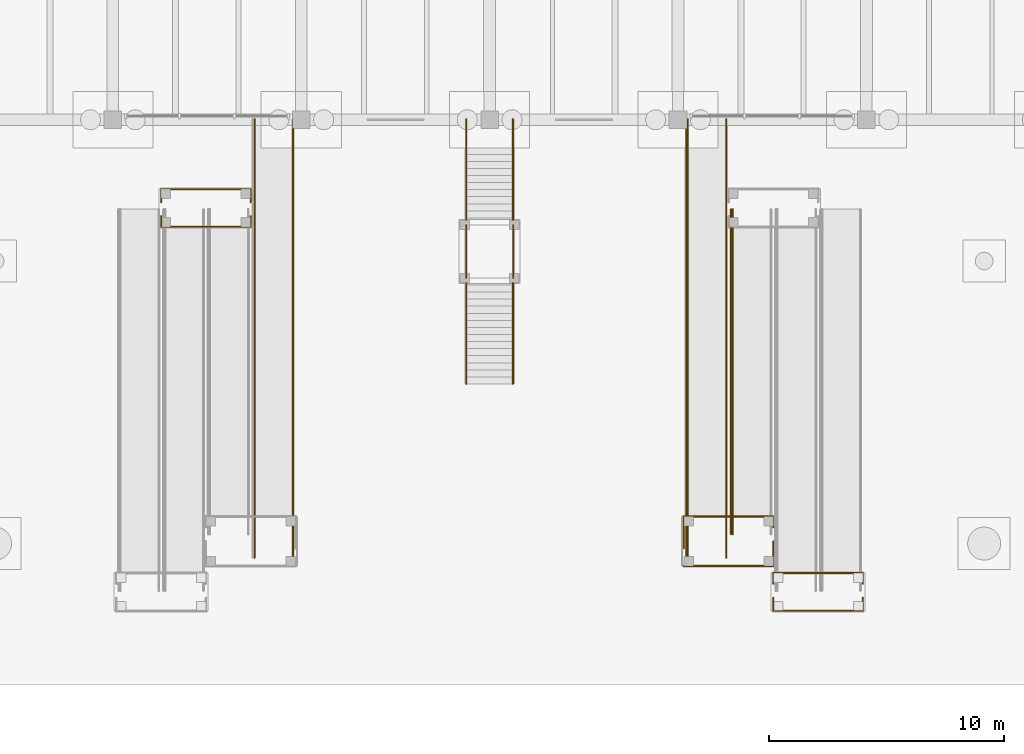
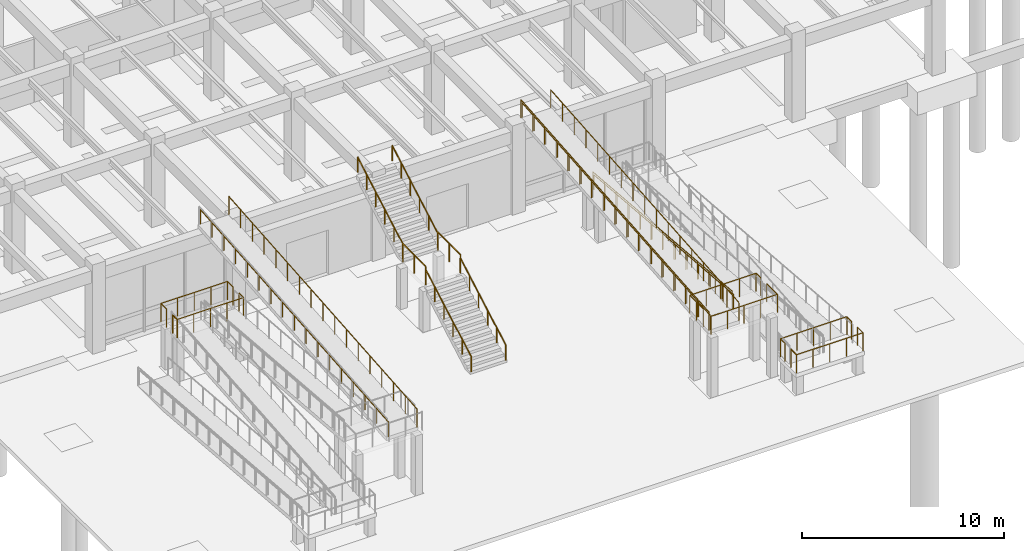
# One storey, part 36 of 44: 21 railings.
"""IFC4 building model written with IfcOpenShell, lengths in metres."""

from ifc_helpers import new_model, si_unit, direction, frame, origin, origin_2d, place, context, subcontext, project, spatial, circle, extrude, material, type_object, element, save


model = new_model("IFC4")

# Units and contexts
model_context = context("Model", 3, precision=1e-05, world=origin(), true_north=direction((0.0, 1.0)))
body_context = subcontext(model_context, "Body", "Model", "MODEL_VIEW")
ifc_project = project(units=[si_unit("LENGTHUNIT", "METRE"), si_unit("AREAUNIT", "SQUARE_METRE"), si_unit("VOLUMEUNIT", "CUBIC_METRE"), si_unit("PLANEANGLEUNIT", "RADIAN"), si_unit("MASSUNIT", "GRAM", prefix="KILO")], contexts=[model_context])

# Site, building, storey
site_placement = place(None, origin())
site = spatial("IfcSite", under=ifc_project, at=site_placement, CompositionType="ELEMENT")
building_placement = place(site_placement, origin())
building = spatial("IfcBuilding", under=site, at=building_placement, Name="Pecanmere Concourse Central Library", CompositionType="ELEMENT")
storey_placement = place(building_placement, frame((0.0, 0.0, -5.39990234375)))
storey = spatial("IfcBuildingStorey", under=building, at=storey_placement, Name="B1", CompositionType="ELEMENT", Elevation=-5.39990234375)

# Railings
ifc_material_1 = material(Name="Architectural anodized bronze")
railing_type_1 = type_object("IfcRailingType", Name="RAIL_ATRIUM_BAL", PredefinedType="BALUSTRADE", material=ifc_material_1)
for number, where, name in (
    (1, (89.0, 17.280029296875, 2.699951171875), "ST-M1 Mid-Landing Guard L"),
    (2, (87.0, 17.280029296875, 2.699951171875), "ST-M1 Mid-Landing Guard R"),
):
    element("IfcRailing", number, at=place(storey_placement, frame(where)), inside=storey, type_object=railing_type_1, Name=name, PredefinedType="BALUSTRADE", context=body_context, shape_type="SweptSolid", body=[
        extrude(circle(Radius=0.02392578125, at=origin_2d()), frame((0.0, 0.0, 1.09619140625), z_axis=(0.0, 1.0, 0.0), x_axis=(-1.0, 0.0, 0.0)), (0.0, 0.0, 1.0), 2.25),
        extrude(circle(Radius=0.02099609375, at=origin_2d()), origin(), (0.0, 0.0, 1.0), 1.072021484375),
        extrude(circle(Radius=0.02099609375, at=origin_2d()), frame((0.0, 1.125, 0.0)), (0.0, 0.0, 1.0), 1.072021484375),
        extrude(circle(Radius=0.02099609375, at=origin_2d()), frame((0.0, 2.25, 0.0)), (0.0, 0.0, 1.0), 1.072021484375),
    ])
ifc_material_2 = material(Name="Brushed stainless steel Grade 316", Category="steel")
railing_type_2 = type_object("IfcRailingType", Name="RAIL_RAMP_HR", PredefinedType="HANDRAIL", material=ifc_material_2)
railing_1_placement = place(storey_placement, frame((78.02001953125, 5.39990234375, 3.849853515625)))
element("IfcRailing", 3, at=railing_1_placement, inside=storey, type_object=railing_type_2, Name="Ramp Handrail 4", PredefinedType="HANDRAIL", context=body_context, shape_type="SweptSolid", body=[
    extrude(circle(Radius=0.02392578125, at=origin_2d()), frame((0.0, 0.0, 0.8759765625), z_axis=(0.0, 0.996556647584, 0.082914704104), x_axis=(-1.0, 0.0, 0.0)), (0.0, 0.0, 1.0), 18.694580078125),
    extrude(circle(Radius=0.02099609375, at=origin_2d()), origin(), (0.0, 0.0, 1.0), 0.851806640625),
    extrude(circle(Radius=0.02099609375, at=origin_2d()), frame((0.0, 1.164306640625, 0.096923828125)), (0.0, 0.0, 1.0), 0.851806640625),
    extrude(circle(Radius=0.02099609375, at=origin_2d()), frame((0.0, 2.328857421875, 0.19384765625)), (0.0, 0.0, 1.0), 0.851806640625),
    extrude(circle(Radius=0.02099609375, at=origin_2d()), frame((0.0, 3.4931640625, 0.29052734375)), (0.0, 0.0, 1.0), 0.851806640625),
    extrude(circle(Radius=0.02099609375, at=origin_2d()), frame((0.0, 4.657470703125, 0.387451171875)), (0.0, 0.0, 1.0), 0.851806640625),
    extrude(circle(Radius=0.02099609375, at=origin_2d()), frame((0.0, 5.822021484375, 0.484375)), (0.0, 0.0, 1.0), 0.851806640625),
    extrude(circle(Radius=0.02099609375, at=origin_2d()), frame((0.0, 6.986328125, 0.581298828125)), (0.0, 0.0, 1.0), 0.851806640625),
    extrude(circle(Radius=0.02099609375, at=origin_2d()), frame((0.0, 8.150634765625, 0.67822265625)), (0.0, 0.0, 1.0), 0.851806640625),
    extrude(circle(Radius=0.02099609375, at=origin_2d()), frame((0.0, 9.31494140625, 0.77490234375)), (0.0, 0.0, 1.0), 0.851806640625),
    extrude(circle(Radius=0.02099609375, at=origin_2d()), frame((0.0, 10.4794921875, 0.871826171875)), (0.0, 0.0, 1.0), 0.851806640625),
    extrude(circle(Radius=0.02099609375, at=origin_2d()), frame((0.0, 11.643798828125, 0.96875)), (0.0, 0.0, 1.0), 0.851806640625),
    extrude(circle(Radius=0.02099609375, at=origin_2d()), frame((0.0, 12.80810546875, 1.065673828125)), (0.0, 0.0, 1.0), 0.851806640625),
    extrude(circle(Radius=0.02099609375, at=origin_2d()), frame((0.0, 13.97265625, 1.16259765625)), (0.0, 0.0, 1.0), 0.851806640625),
    extrude(circle(Radius=0.02099609375, at=origin_2d()), frame((0.0, 15.136962890625, 1.259521484375)), (0.0, 0.0, 1.0), 0.851806640625),
    extrude(circle(Radius=0.02099609375, at=origin_2d()), frame((0.0, 16.30126953125, 1.356201171875)), (0.0, 0.0, 1.0), 0.851806640625),
    extrude(circle(Radius=0.02099609375, at=origin_2d()), frame((0.0, 17.4658203125, 1.453125)), (0.0, 0.0, 1.0), 0.851806640625),
    extrude(circle(Radius=0.02099609375, at=origin_2d()), frame((0.0, 18.630126953125, 1.550048828125)), (0.0, 0.0, 1.0), 0.851806640625),
])
railing_2_placement = place(storey_placement, frame((98.320068359375, 20.199951171875, 2.699951171875)))
element("IfcRailing", 4, at=railing_2_placement, inside=storey, type_object=railing_type_2, Name="Ramp Handrail 7", PredefinedType="HANDRAIL", context=body_context, shape_type="SweptSolid", body=[
    extrude(circle(Radius=0.02392578125, at=origin_2d()), frame((0.0, 0.0, 0.8759765625), z_axis=(0.0, -0.996546366156, 0.083038184601), x_axis=(1.0, 0.0, 0.0)), (0.0, 0.0, 1.0), 13.847900390625),
    extrude(circle(Radius=0.02099609375, at=origin_2d()), origin(), (0.0, 0.0, 1.0), 0.851806640625),
    extrude(circle(Radius=0.02099609375, at=origin_2d()), frame((0.0, -1.14990234375, 0.095703125)), (0.0, 0.0, 1.0), 0.851806640625),
    extrude(circle(Radius=0.02099609375, at=origin_2d()), frame((0.0, -2.300048828125, 0.191650390625)), (0.0, 0.0, 1.0), 0.851806640625),
    extrude(circle(Radius=0.02099609375, at=origin_2d()), frame((0.0, -3.449951171875, 0.28759765625)), (0.0, 0.0, 1.0), 0.851806640625),
    extrude(circle(Radius=0.02099609375, at=origin_2d()), frame((0.0, -4.60009765625, 0.38330078125)), (0.0, 0.0, 1.0), 0.851806640625),
    extrude(circle(Radius=0.02099609375, at=origin_2d()), frame((0.0, -5.75, 0.47900390625)), (0.0, 0.0, 1.0), 0.851806640625),
    extrude(circle(Radius=0.02099609375, at=origin_2d()), frame((0.0, -6.89990234375, 0.574951171875)), (0.0, 0.0, 1.0), 0.851806640625),
    extrude(circle(Radius=0.02099609375, at=origin_2d()), frame((0.0, -8.050048828125, 0.6708984375)), (0.0, 0.0, 1.0), 0.851806640625),
    extrude(circle(Radius=0.02099609375, at=origin_2d()), frame((0.0, -9.199951171875, 0.7666015625)), (0.0, 0.0, 1.0), 0.851806640625),
    extrude(circle(Radius=0.02099609375, at=origin_2d()), frame((0.0, -10.35009765625, 0.8623046875)), (0.0, 0.0, 1.0), 0.851806640625),
    extrude(circle(Radius=0.02099609375, at=origin_2d()), frame((0.0, -11.5, 0.958251953125)), (0.0, 0.0, 1.0), 0.851806640625),
    extrude(circle(Radius=0.02099609375, at=origin_2d()), frame((0.0, -12.650146484375, 1.05419921875)), (0.0, 0.0, 1.0), 0.851806640625),
    extrude(circle(Radius=0.02099609375, at=origin_2d()), frame((0.0, -13.800048828125, 1.14990234375)), (0.0, 0.0, 1.0), 0.851806640625),
])
railing_3_placement = place(storey_placement, frame((96.419921875, 5.39990234375, 3.849853515625)))
element("IfcRailing", 5, at=railing_3_placement, inside=storey, type_object=railing_type_2, Name="Ramp Handrail 8", PredefinedType="HANDRAIL", context=body_context, shape_type="SweptSolid", body=[
    extrude(circle(Radius=0.02392578125, at=origin_2d()), frame((0.0, 0.0, 0.8759765625), z_axis=(0.0, 0.996556647584, 0.082914704104), x_axis=(-1.0, 0.0, 0.0)), (0.0, 0.0, 1.0), 18.694580078125),
    extrude(circle(Radius=0.02099609375, at=origin_2d()), origin(), (0.0, 0.0, 1.0), 0.851806640625),
    extrude(circle(Radius=0.02099609375, at=origin_2d()), frame((0.0, 1.164306640625, 0.096923828125)), (0.0, 0.0, 1.0), 0.851806640625),
    extrude(circle(Radius=0.02099609375, at=origin_2d()), frame((0.0, 2.328857421875, 0.19384765625)), (0.0, 0.0, 1.0), 0.851806640625),
    extrude(circle(Radius=0.02099609375, at=origin_2d()), frame((0.0, 3.4931640625, 0.29052734375)), (0.0, 0.0, 1.0), 0.851806640625),
    extrude(circle(Radius=0.02099609375, at=origin_2d()), frame((0.0, 4.657470703125, 0.387451171875)), (0.0, 0.0, 1.0), 0.851806640625),
    extrude(circle(Radius=0.02099609375, at=origin_2d()), frame((0.0, 5.822021484375, 0.484375)), (0.0, 0.0, 1.0), 0.851806640625),
    extrude(circle(Radius=0.02099609375, at=origin_2d()), frame((0.0, 6.986328125, 0.581298828125)), (0.0, 0.0, 1.0), 0.851806640625),
    extrude(circle(Radius=0.02099609375, at=origin_2d()), frame((0.0, 8.150634765625, 0.67822265625)), (0.0, 0.0, 1.0), 0.851806640625),
    extrude(circle(Radius=0.02099609375, at=origin_2d()), frame((0.0, 9.31494140625, 0.77490234375)), (0.0, 0.0, 1.0), 0.851806640625),
    extrude(circle(Radius=0.02099609375, at=origin_2d()), frame((0.0, 10.4794921875, 0.871826171875)), (0.0, 0.0, 1.0), 0.851806640625),
    extrude(circle(Radius=0.02099609375, at=origin_2d()), frame((0.0, 11.643798828125, 0.96875)), (0.0, 0.0, 1.0), 0.851806640625),
    extrude(circle(Radius=0.02099609375, at=origin_2d()), frame((0.0, 12.80810546875, 1.065673828125)), (0.0, 0.0, 1.0), 0.851806640625),
    extrude(circle(Radius=0.02099609375, at=origin_2d()), frame((0.0, 13.97265625, 1.16259765625)), (0.0, 0.0, 1.0), 0.851806640625),
    extrude(circle(Radius=0.02099609375, at=origin_2d()), frame((0.0, 15.136962890625, 1.259521484375)), (0.0, 0.0, 1.0), 0.851806640625),
    extrude(circle(Radius=0.02099609375, at=origin_2d()), frame((0.0, 16.30126953125, 1.356201171875)), (0.0, 0.0, 1.0), 0.851806640625),
    extrude(circle(Radius=0.02099609375, at=origin_2d()), frame((0.0, 17.4658203125, 1.453125)), (0.0, 0.0, 1.0), 0.851806640625),
    extrude(circle(Radius=0.02099609375, at=origin_2d()), frame((0.0, 18.630126953125, 1.550048828125)), (0.0, 0.0, 1.0), 0.851806640625),
])
ifc_material_3 = material(Name="Brushed stainless steel Grade 316", Category="steel")
railing_type_3 = type_object("IfcRailingType", Name="RAIL_STAIR_HR", PredefinedType="HANDRAIL", material=ifc_material_3)
for number, where, name in (
    (6, (88.989990234375, 12.780029296875, 0.168701171875), "ST-M1 Handrail 1L"),
    (7, (88.989990234375, 19.530029296875, 2.86865234375), "ST-M1 Handrail 2L"),
    (8, (87.010009765625, 12.780029296875, 0.168701171875), "ST-M1 Handrail 1R"),
    (9, (87.010009765625, 19.530029296875, 2.86865234375), "ST-M1 Handrail 2R"),
):
    element("IfcRailing", number, at=place(storey_placement, frame(where)), inside=storey, type_object=railing_type_3, Name=name, PredefinedType="HANDRAIL", context=body_context, shape_type="SweptSolid", body=[
        extrude(circle(Radius=0.02392578125, at=origin_2d()), frame((0.0, 0.0, 0.89111328125), z_axis=(0.0, 0.871575537125, 0.490261239633), x_axis=(-1.0, 0.0, 0.0)), (0.0, 0.0, 1.0), 5.1630859375),
        extrude(circle(Radius=0.02099609375, at=origin_2d()), origin(), (0.0, 0.0, 1.0), 0.866943359375),
        extrude(circle(Radius=0.02099609375, at=origin_2d()), frame((0.0, 0.89990234375, 0.50634765625)), (0.0, 0.0, 1.0), 0.866943359375),
        extrude(circle(Radius=0.02099609375, at=origin_2d()), frame((0.0, 1.800048828125, 1.012451171875)), (0.0, 0.0, 1.0), 0.866943359375),
        extrude(circle(Radius=0.02099609375, at=origin_2d()), frame((0.0, 2.699951171875, 1.518798828125)), (0.0, 0.0, 1.0), 0.866943359375),
        extrude(circle(Radius=0.02099609375, at=origin_2d()), frame((0.0, 3.60009765625, 2.02490234375)), (0.0, 0.0, 1.0), 0.866943359375),
        extrude(circle(Radius=0.02099609375, at=origin_2d()), frame((0.0, 4.5, 2.53125)), (0.0, 0.0, 1.0), 0.866943359375),
    ])
ifc_material_4 = material(Name="Architectural anodized bronze")
railing_type_4 = type_object("IfcRailingType", Name="RAIL_TERR_1120", PredefinedType="BALUSTRADE", material=ifc_material_4)
railing_4_placement = place(storey_placement, frame((79.64990234375, 5.39990234375, 3.849853515625)))
element("IfcRailing", 10, at=railing_4_placement, inside=storey, type_object=railing_type_4, Name="Ramp Protective Guard 4R", PredefinedType="BALUSTRADE", context=body_context, shape_type="SweptSolid", body=[
    extrude(circle(Radius=0.02392578125, at=origin_2d()), frame((0.0, 0.0, 1.09619140625), z_axis=(0.0, 0.996556647584, 0.082914704104), x_axis=(-1.0, 0.0, 0.0)), (0.0, 0.0, 1.0), 18.694580078125),
    extrude(circle(Radius=0.02099609375, at=origin_2d()), origin(), (0.0, 0.0, 1.0), 1.072021484375),
    extrude(circle(Radius=0.02099609375, at=origin_2d()), frame((0.0, 1.164306640625, 0.096923828125)), (0.0, 0.0, 1.0), 1.072021484375),
    extrude(circle(Radius=0.02099609375, at=origin_2d()), frame((0.0, 2.328857421875, 0.19384765625)), (0.0, 0.0, 1.0), 1.072021484375),
    extrude(circle(Radius=0.02099609375, at=origin_2d()), frame((0.0, 3.4931640625, 0.29052734375)), (0.0, 0.0, 1.0), 1.072021484375),
    extrude(circle(Radius=0.02099609375, at=origin_2d()), frame((0.0, 4.657470703125, 0.387451171875)), (0.0, 0.0, 1.0), 1.072021484375),
    extrude(circle(Radius=0.02099609375, at=origin_2d()), frame((0.0, 5.822021484375, 0.484375)), (0.0, 0.0, 1.0), 1.072021484375),
    extrude(circle(Radius=0.02099609375, at=origin_2d()), frame((0.0, 6.986328125, 0.581298828125)), (0.0, 0.0, 1.0), 1.072021484375),
    extrude(circle(Radius=0.02099609375, at=origin_2d()), frame((0.0, 8.150634765625, 0.67822265625)), (0.0, 0.0, 1.0), 1.072021484375),
    extrude(circle(Radius=0.02099609375, at=origin_2d()), frame((0.0, 9.31494140625, 0.77490234375)), (0.0, 0.0, 1.0), 1.072021484375),
    extrude(circle(Radius=0.02099609375, at=origin_2d()), frame((0.0, 10.4794921875, 0.871826171875)), (0.0, 0.0, 1.0), 1.072021484375),
    extrude(circle(Radius=0.02099609375, at=origin_2d()), frame((0.0, 11.643798828125, 0.96875)), (0.0, 0.0, 1.0), 1.072021484375),
    extrude(circle(Radius=0.02099609375, at=origin_2d()), frame((0.0, 12.80810546875, 1.065673828125)), (0.0, 0.0, 1.0), 1.072021484375),
    extrude(circle(Radius=0.02099609375, at=origin_2d()), frame((0.0, 13.97265625, 1.16259765625)), (0.0, 0.0, 1.0), 1.072021484375),
    extrude(circle(Radius=0.02099609375, at=origin_2d()), frame((0.0, 15.136962890625, 1.259521484375)), (0.0, 0.0, 1.0), 1.072021484375),
    extrude(circle(Radius=0.02099609375, at=origin_2d()), frame((0.0, 16.30126953125, 1.356201171875)), (0.0, 0.0, 1.0), 1.072021484375),
    extrude(circle(Radius=0.02099609375, at=origin_2d()), frame((0.0, 17.4658203125, 1.453125)), (0.0, 0.0, 1.0), 1.072021484375),
    extrude(circle(Radius=0.02099609375, at=origin_2d()), frame((0.0, 18.630126953125, 1.550048828125)), (0.0, 0.0, 1.0), 1.072021484375),
])
railing_5_placement = place(storey_placement, frame((98.25, 20.199951171875, 2.699951171875)))
element("IfcRailing", 11, at=railing_5_placement, inside=storey, type_object=railing_type_4, Name="Ramp Protective Guard 7L", PredefinedType="BALUSTRADE", context=body_context, shape_type="SweptSolid", body=[
    extrude(circle(Radius=0.02392578125, at=origin_2d()), frame((0.0, 0.0, 1.09619140625), z_axis=(0.0, -0.996546366156, 0.083038184601), x_axis=(1.0, 0.0, 0.0)), (0.0, 0.0, 1.0), 13.847900390625),
    extrude(circle(Radius=0.02099609375, at=origin_2d()), origin(), (0.0, 0.0, 1.0), 1.072021484375),
    extrude(circle(Radius=0.02099609375, at=origin_2d()), frame((0.0, -1.14990234375, 0.095703125)), (0.0, 0.0, 1.0), 1.072021484375),
    extrude(circle(Radius=0.02099609375, at=origin_2d()), frame((0.0, -2.300048828125, 0.191650390625)), (0.0, 0.0, 1.0), 1.072021484375),
    extrude(circle(Radius=0.02099609375, at=origin_2d()), frame((0.0, -3.449951171875, 0.28759765625)), (0.0, 0.0, 1.0), 1.072021484375),
    extrude(circle(Radius=0.02099609375, at=origin_2d()), frame((0.0, -4.60009765625, 0.38330078125)), (0.0, 0.0, 1.0), 1.072021484375),
    extrude(circle(Radius=0.02099609375, at=origin_2d()), frame((0.0, -5.75, 0.47900390625)), (0.0, 0.0, 1.0), 1.072021484375),
    extrude(circle(Radius=0.02099609375, at=origin_2d()), frame((0.0, -6.89990234375, 0.574951171875)), (0.0, 0.0, 1.0), 1.072021484375),
    extrude(circle(Radius=0.02099609375, at=origin_2d()), frame((0.0, -8.050048828125, 0.6708984375)), (0.0, 0.0, 1.0), 1.072021484375),
    extrude(circle(Radius=0.02099609375, at=origin_2d()), frame((0.0, -9.199951171875, 0.7666015625)), (0.0, 0.0, 1.0), 1.072021484375),
    extrude(circle(Radius=0.02099609375, at=origin_2d()), frame((0.0, -10.35009765625, 0.8623046875)), (0.0, 0.0, 1.0), 1.072021484375),
    extrude(circle(Radius=0.02099609375, at=origin_2d()), frame((0.0, -11.5, 0.958251953125)), (0.0, 0.0, 1.0), 1.072021484375),
    extrude(circle(Radius=0.02099609375, at=origin_2d()), frame((0.0, -12.650146484375, 1.05419921875)), (0.0, 0.0, 1.0), 1.072021484375),
    extrude(circle(Radius=0.02099609375, at=origin_2d()), frame((0.0, -13.800048828125, 1.14990234375)), (0.0, 0.0, 1.0), 1.072021484375),
])
railing_6_placement = place(storey_placement, frame((96.35009765625, 5.39990234375, 3.849853515625)))
element("IfcRailing", 12, at=railing_6_placement, inside=storey, type_object=railing_type_4, Name="Ramp Protective Guard 8L", PredefinedType="BALUSTRADE", context=body_context, shape_type="SweptSolid", body=[
    extrude(circle(Radius=0.02392578125, at=origin_2d()), frame((0.0, 0.0, 1.09619140625), z_axis=(0.0, 0.996556647584, 0.082914704104), x_axis=(-1.0, 0.0, 0.0)), (0.0, 0.0, 1.0), 18.694580078125),
    extrude(circle(Radius=0.02099609375, at=origin_2d()), origin(), (0.0, 0.0, 1.0), 1.072021484375),
    extrude(circle(Radius=0.02099609375, at=origin_2d()), frame((0.0, 1.164306640625, 0.096923828125)), (0.0, 0.0, 1.0), 1.072021484375),
    extrude(circle(Radius=0.02099609375, at=origin_2d()), frame((0.0, 2.328857421875, 0.19384765625)), (0.0, 0.0, 1.0), 1.072021484375),
    extrude(circle(Radius=0.02099609375, at=origin_2d()), frame((0.0, 3.4931640625, 0.29052734375)), (0.0, 0.0, 1.0), 1.072021484375),
    extrude(circle(Radius=0.02099609375, at=origin_2d()), frame((0.0, 4.657470703125, 0.387451171875)), (0.0, 0.0, 1.0), 1.072021484375),
    extrude(circle(Radius=0.02099609375, at=origin_2d()), frame((0.0, 5.822021484375, 0.484375)), (0.0, 0.0, 1.0), 1.072021484375),
    extrude(circle(Radius=0.02099609375, at=origin_2d()), frame((0.0, 6.986328125, 0.581298828125)), (0.0, 0.0, 1.0), 1.072021484375),
    extrude(circle(Radius=0.02099609375, at=origin_2d()), frame((0.0, 8.150634765625, 0.67822265625)), (0.0, 0.0, 1.0), 1.072021484375),
    extrude(circle(Radius=0.02099609375, at=origin_2d()), frame((0.0, 9.31494140625, 0.77490234375)), (0.0, 0.0, 1.0), 1.072021484375),
    extrude(circle(Radius=0.02099609375, at=origin_2d()), frame((0.0, 10.4794921875, 0.871826171875)), (0.0, 0.0, 1.0), 1.072021484375),
    extrude(circle(Radius=0.02099609375, at=origin_2d()), frame((0.0, 11.643798828125, 0.96875)), (0.0, 0.0, 1.0), 1.072021484375),
    extrude(circle(Radius=0.02099609375, at=origin_2d()), frame((0.0, 12.80810546875, 1.065673828125)), (0.0, 0.0, 1.0), 1.072021484375),
    extrude(circle(Radius=0.02099609375, at=origin_2d()), frame((0.0, 13.97265625, 1.16259765625)), (0.0, 0.0, 1.0), 1.072021484375),
    extrude(circle(Radius=0.02099609375, at=origin_2d()), frame((0.0, 15.136962890625, 1.259521484375)), (0.0, 0.0, 1.0), 1.072021484375),
    extrude(circle(Radius=0.02099609375, at=origin_2d()), frame((0.0, 16.30126953125, 1.356201171875)), (0.0, 0.0, 1.0), 1.072021484375),
    extrude(circle(Radius=0.02099609375, at=origin_2d()), frame((0.0, 17.4658203125, 1.453125)), (0.0, 0.0, 1.0), 1.072021484375),
    extrude(circle(Radius=0.02099609375, at=origin_2d()), frame((0.0, 18.630126953125, 1.550048828125)), (0.0, 0.0, 1.0), 1.072021484375),
])
railing_7_placement = place(storey_placement, frame((98.050048828125, 5.39990234375, 3.849853515625)))
element("IfcRailing", 13, at=railing_7_placement, inside=storey, type_object=railing_type_4, Name="Ramp Protective Guard 8R", PredefinedType="BALUSTRADE", context=body_context, shape_type="SweptSolid", body=[
    extrude(circle(Radius=0.02392578125, at=origin_2d()), frame((0.0, 0.0, 1.09619140625), z_axis=(0.0, 0.996556647584, 0.082914704104), x_axis=(-1.0, 0.0, 0.0)), (0.0, 0.0, 1.0), 18.694580078125),
    extrude(circle(Radius=0.02099609375, at=origin_2d()), origin(), (0.0, 0.0, 1.0), 1.072021484375),
    extrude(circle(Radius=0.02099609375, at=origin_2d()), frame((0.0, 1.164306640625, 0.096923828125)), (0.0, 0.0, 1.0), 1.072021484375),
    extrude(circle(Radius=0.02099609375, at=origin_2d()), frame((0.0, 2.328857421875, 0.19384765625)), (0.0, 0.0, 1.0), 1.072021484375),
    extrude(circle(Radius=0.02099609375, at=origin_2d()), frame((0.0, 3.4931640625, 0.29052734375)), (0.0, 0.0, 1.0), 1.072021484375),
    extrude(circle(Radius=0.02099609375, at=origin_2d()), frame((0.0, 4.657470703125, 0.387451171875)), (0.0, 0.0, 1.0), 1.072021484375),
    extrude(circle(Radius=0.02099609375, at=origin_2d()), frame((0.0, 5.822021484375, 0.484375)), (0.0, 0.0, 1.0), 1.072021484375),
    extrude(circle(Radius=0.02099609375, at=origin_2d()), frame((0.0, 6.986328125, 0.581298828125)), (0.0, 0.0, 1.0), 1.072021484375),
    extrude(circle(Radius=0.02099609375, at=origin_2d()), frame((0.0, 8.150634765625, 0.67822265625)), (0.0, 0.0, 1.0), 1.072021484375),
    extrude(circle(Radius=0.02099609375, at=origin_2d()), frame((0.0, 9.31494140625, 0.77490234375)), (0.0, 0.0, 1.0), 1.072021484375),
    extrude(circle(Radius=0.02099609375, at=origin_2d()), frame((0.0, 10.4794921875, 0.871826171875)), (0.0, 0.0, 1.0), 1.072021484375),
    extrude(circle(Radius=0.02099609375, at=origin_2d()), frame((0.0, 11.643798828125, 0.96875)), (0.0, 0.0, 1.0), 1.072021484375),
    extrude(circle(Radius=0.02099609375, at=origin_2d()), frame((0.0, 12.80810546875, 1.065673828125)), (0.0, 0.0, 1.0), 1.072021484375),
    extrude(circle(Radius=0.02099609375, at=origin_2d()), frame((0.0, 13.97265625, 1.16259765625)), (0.0, 0.0, 1.0), 1.072021484375),
    extrude(circle(Radius=0.02099609375, at=origin_2d()), frame((0.0, 15.136962890625, 1.259521484375)), (0.0, 0.0, 1.0), 1.072021484375),
    extrude(circle(Radius=0.02099609375, at=origin_2d()), frame((0.0, 16.30126953125, 1.356201171875)), (0.0, 0.0, 1.0), 1.072021484375),
    extrude(circle(Radius=0.02099609375, at=origin_2d()), frame((0.0, 17.4658203125, 1.453125)), (0.0, 0.0, 1.0), 1.072021484375),
    extrude(circle(Radius=0.02099609375, at=origin_2d()), frame((0.0, 18.630126953125, 1.550048828125)), (0.0, 0.0, 1.0), 1.072021484375),
])
railing_8_placement = place(storey_placement, frame((74.050048828125, 19.449951171875, 2.699951171875)))
element("IfcRailing", 14, at=railing_8_placement, inside=storey, type_object=railing_type_4, Name="Ramp Landing Guard GR-RL004", PredefinedType="BALUSTRADE", context=body_context, shape_type="SweptSolid", body=[
    extrude(circle(Radius=0.02392578125, at=origin_2d()), frame((0.0, 0.0, 1.09619140625), z_axis=(1.0, 0.0, 0.0), x_axis=(0.0, 1.0, 0.0)), (0.0, 0.0, 1.0), 3.800048828125),
    extrude(circle(Radius=0.02392578125, at=origin_2d()), frame((3.800048828125, 0.0, 1.09619140625), z_axis=(0.0, 1.0, 0.0), x_axis=(-1.0, 0.0, 0.0)), (0.0, 0.0, 1.0), 0.449951171875),
    extrude(circle(Radius=0.02099609375, at=origin_2d()), origin(), (0.0, 0.0, 1.0), 1.072021484375),
    extrude(circle(Radius=0.02099609375, at=origin_2d()), frame((0.949951171875, 0.0, 0.0)), (0.0, 0.0, 1.0), 1.072021484375),
    extrude(circle(Radius=0.02099609375, at=origin_2d()), frame((1.89990234375, 0.0, 0.0)), (0.0, 0.0, 1.0), 1.072021484375),
    extrude(circle(Radius=0.02099609375, at=origin_2d()), frame((2.85009765625, 0.0, 0.0)), (0.0, 0.0, 1.0), 1.072021484375),
    extrude(circle(Radius=0.02099609375, at=origin_2d()), frame((3.800048828125, 0.0, 0.0)), (0.0, 0.0, 1.0), 1.072021484375),
    extrude(circle(Radius=0.02099609375, at=origin_2d()), frame((3.800048828125, 0.449951171875, 0.0)), (0.0, 0.0, 1.0), 1.072021484375),
])
railing_9_placement = place(storey_placement, frame((77.85009765625, 20.5, 2.699951171875)))
element("IfcRailing", 15, at=railing_9_placement, inside=storey, type_object=railing_type_4, Name="Ramp Landing Guard GR-RL005", PredefinedType="BALUSTRADE", context=body_context, shape_type="SweptSolid", body=[
    extrude(circle(Radius=0.02392578125, at=origin_2d()), frame((0.0, 0.0, 1.09619140625), z_axis=(0.0, 1.0, 0.0), x_axis=(-1.0, 0.0, 0.0)), (0.0, 0.0, 1.0), 0.550048828125),
    extrude(circle(Radius=0.02392578125, at=origin_2d()), frame((0.0, 0.550048828125, 1.09619140625), z_axis=(-1.0, 0.0, 0.0), x_axis=(0.0, -1.0, 0.0)), (0.0, 0.0, 1.0), 3.800048828125),
    extrude(circle(Radius=0.02392578125, at=origin_2d()), frame((-3.800048828125, 0.550048828125, 1.09619140625), z_axis=(0.0, -1.0, 0.0), x_axis=(1.0, 0.0, 0.0)), (0.0, 0.0, 1.0), 0.550048828125),
    extrude(circle(Radius=0.02099609375, at=origin_2d()), origin(), (0.0, 0.0, 1.0), 1.072021484375),
    extrude(circle(Radius=0.02099609375, at=origin_2d()), frame((0.0, 0.550048828125, 0.0)), (0.0, 0.0, 1.0), 1.072021484375),
    extrude(circle(Radius=0.02099609375, at=origin_2d()), frame((-0.949951171875, 0.550048828125, 0.0)), (0.0, 0.0, 1.0), 1.072021484375),
    extrude(circle(Radius=0.02099609375, at=origin_2d()), frame((-1.89990234375, 0.550048828125, 0.0)), (0.0, 0.0, 1.0), 1.072021484375),
    extrude(circle(Radius=0.02099609375, at=origin_2d()), frame((-2.85009765625, 0.550048828125, 0.0)), (0.0, 0.0, 1.0), 1.072021484375),
    extrude(circle(Radius=0.02099609375, at=origin_2d()), frame((-3.800048828125, 0.550048828125, 0.0)), (0.0, 0.0, 1.0), 1.072021484375),
    extrude(circle(Radius=0.02099609375, at=origin_2d()), frame((-3.800048828125, 0.0, 0.0)), (0.0, 0.0, 1.0), 1.072021484375),
])
railing_10_placement = place(storey_placement, frame((74.050048828125, 19.89990234375, 2.699951171875)))
element("IfcRailing", 16, at=railing_10_placement, inside=storey, type_object=railing_type_4, Name="Ramp Landing Guard GR-RL006", PredefinedType="BALUSTRADE", context=body_context, shape_type="SweptSolid", body=[
    extrude(circle(Radius=0.02392578125, at=origin_2d()), frame((0.0, 0.0, 1.09619140625), z_axis=(0.0, -1.0, 0.0), x_axis=(1.0, 0.0, 0.0)), (0.0, 0.0, 1.0), 0.449951171875),
    extrude(circle(Radius=0.02099609375, at=origin_2d()), origin(), (0.0, 0.0, 1.0), 1.072021484375),
    extrude(circle(Radius=0.02099609375, at=origin_2d()), frame((0.0, -0.449951171875, 0.0)), (0.0, 0.0, 1.0), 1.072021484375),
])
railing_11_placement = place(storey_placement, frame((100.050048828125, 3.14990234375, 1.349853515625)))
element("IfcRailing", 17, at=railing_11_placement, inside=storey, type_object=railing_type_4, Name="Ramp Landing Guard GR-RL010", PredefinedType="BALUSTRADE", context=body_context, shape_type="SweptSolid", body=[
    extrude(circle(Radius=0.02392578125, at=origin_2d()), frame((0.0, 0.0, 1.09619140625), z_axis=(1.0, 0.0, 0.0), x_axis=(0.0, 1.0, 0.0)), (0.0, 0.0, 1.0), 3.800048828125),
    extrude(circle(Radius=0.02392578125, at=origin_2d()), frame((3.800048828125, 0.0, 1.09619140625), z_axis=(0.0, 1.0, 0.0), x_axis=(-1.0, 0.0, 0.0)), (0.0, 0.0, 1.0), 0.550048828125),
    extrude(circle(Radius=0.02099609375, at=origin_2d()), origin(), (0.0, 0.0, 1.0), 1.072021484375),
    extrude(circle(Radius=0.02099609375, at=origin_2d()), frame((0.949951171875, 0.0, 0.0)), (0.0, 0.0, 1.0), 1.072021484375),
    extrude(circle(Radius=0.02099609375, at=origin_2d()), frame((1.89990234375, 0.0, 0.0)), (0.0, 0.0, 1.0), 1.072021484375),
    extrude(circle(Radius=0.02099609375, at=origin_2d()), frame((2.85009765625, 0.0, 0.0)), (0.0, 0.0, 1.0), 1.072021484375),
    extrude(circle(Radius=0.02099609375, at=origin_2d()), frame((3.800048828125, 0.0, 0.0)), (0.0, 0.0, 1.0), 1.072021484375),
    extrude(circle(Radius=0.02099609375, at=origin_2d()), frame((3.800048828125, 0.550048828125, 0.0)), (0.0, 0.0, 1.0), 1.072021484375),
])
railing_12_placement = place(storey_placement, frame((103.85009765625, 4.300048828125, 1.349853515625)))
element("IfcRailing", 18, at=railing_12_placement, inside=storey, type_object=railing_type_4, Name="Ramp Landing Guard GR-RL011", PredefinedType="BALUSTRADE", context=body_context, shape_type="SweptSolid", body=[
    extrude(circle(Radius=0.02392578125, at=origin_2d()), frame((0.0, 0.0, 1.09619140625), z_axis=(0.0, 1.0, 0.0), x_axis=(-1.0, 0.0, 0.0)), (0.0, 0.0, 1.0), 0.449951171875),
    extrude(circle(Radius=0.02392578125, at=origin_2d()), frame((0.0, 0.449951171875, 1.09619140625), z_axis=(-1.0, 0.0, 0.0), x_axis=(0.0, -1.0, 0.0)), (0.0, 0.0, 1.0), 3.800048828125),
    extrude(circle(Radius=0.02392578125, at=origin_2d()), frame((-3.800048828125, 0.449951171875, 1.09619140625), z_axis=(0.0, -1.0, 0.0), x_axis=(1.0, 0.0, 0.0)), (0.0, 0.0, 1.0), 0.449951171875),
    extrude(circle(Radius=0.02099609375, at=origin_2d()), origin(), (0.0, 0.0, 1.0), 1.072021484375),
    extrude(circle(Radius=0.02099609375, at=origin_2d()), frame((0.0, 0.449951171875, 0.0)), (0.0, 0.0, 1.0), 1.072021484375),
    extrude(circle(Radius=0.02099609375, at=origin_2d()), frame((-0.949951171875, 0.449951171875, 0.0)), (0.0, 0.0, 1.0), 1.072021484375),
    extrude(circle(Radius=0.02099609375, at=origin_2d()), frame((-1.89990234375, 0.449951171875, 0.0)), (0.0, 0.0, 1.0), 1.072021484375),
    extrude(circle(Radius=0.02099609375, at=origin_2d()), frame((-2.85009765625, 0.449951171875, 0.0)), (0.0, 0.0, 1.0), 1.072021484375),
    extrude(circle(Radius=0.02099609375, at=origin_2d()), frame((-3.800048828125, 0.449951171875, 0.0)), (0.0, 0.0, 1.0), 1.072021484375),
    extrude(circle(Radius=0.02099609375, at=origin_2d()), frame((-3.800048828125, 0.0, 0.0)), (0.0, 0.0, 1.0), 1.072021484375),
])
railing_13_placement = place(storey_placement, frame((100.050048828125, 3.699951171875, 1.349853515625)))
element("IfcRailing", 19, at=railing_13_placement, inside=storey, type_object=railing_type_4, Name="Ramp Landing Guard GR-RL012", PredefinedType="BALUSTRADE", context=body_context, shape_type="SweptSolid", body=[
    extrude(circle(Radius=0.02392578125, at=origin_2d()), frame((0.0, 0.0, 1.09619140625), z_axis=(0.0, -1.0, 0.0), x_axis=(1.0, 0.0, 0.0)), (0.0, 0.0, 1.0), 0.550048828125),
    extrude(circle(Radius=0.02099609375, at=origin_2d()), origin(), (0.0, 0.0, 1.0), 1.072021484375),
    extrude(circle(Radius=0.02099609375, at=origin_2d()), frame((0.0, -0.550048828125, 0.0)), (0.0, 0.0, 1.0), 1.072021484375),
])
railing_14_placement = place(storey_placement, frame((96.25, 5.050048828125, 3.849853515625)))
element("IfcRailing", 20, at=railing_14_placement, inside=storey, type_object=railing_type_4, Name="Ramp Landing Guard GR-RL016", PredefinedType="BALUSTRADE", context=body_context, shape_type="SweptSolid", body=[
    extrude(circle(Radius=0.02392578125, at=origin_2d()), frame((0.0, 0.0, 1.09619140625), z_axis=(1.0, 0.0, 0.0), x_axis=(0.0, 1.0, 0.0)), (0.0, 0.0, 1.0), 3.800048828125),
    extrude(circle(Radius=0.02392578125, at=origin_2d()), frame((3.800048828125, 0.0, 1.09619140625), z_axis=(0.0, 1.0, 0.0), x_axis=(-1.0, 0.0, 0.0)), (0.0, 0.0, 1.0), 1.050048828125),
    extrude(circle(Radius=0.02099609375, at=origin_2d()), origin(), (0.0, 0.0, 1.0), 1.072021484375),
    extrude(circle(Radius=0.02099609375, at=origin_2d()), frame((0.949951171875, 0.0, 0.0)), (0.0, 0.0, 1.0), 1.072021484375),
    extrude(circle(Radius=0.02099609375, at=origin_2d()), frame((1.89990234375, 0.0, 0.0)), (0.0, 0.0, 1.0), 1.072021484375),
    extrude(circle(Radius=0.02099609375, at=origin_2d()), frame((2.85009765625, 0.0, 0.0)), (0.0, 0.0, 1.0), 1.072021484375),
    extrude(circle(Radius=0.02099609375, at=origin_2d()), frame((3.800048828125, 0.0, 0.0)), (0.0, 0.0, 1.0), 1.072021484375),
    extrude(circle(Radius=0.02099609375, at=origin_2d()), frame((3.800048828125, 1.050048828125, 0.0)), (0.0, 0.0, 1.0), 1.072021484375),
])
railing_15_placement = place(storey_placement, frame((100.050048828125, 6.699951171875, 3.849853515625)))
element("IfcRailing", 21, at=railing_15_placement, inside=storey, type_object=railing_type_4, Name="Ramp Landing Guard GR-RL017", PredefinedType="BALUSTRADE", context=body_context, shape_type="SweptSolid", body=[
    extrude(circle(Radius=0.02392578125, at=origin_2d()), frame((0.0, 0.0, 1.09619140625), z_axis=(0.0, 1.0, 0.0), x_axis=(-1.0, 0.0, 0.0)), (0.0, 0.0, 1.0), 0.449951171875),
    extrude(circle(Radius=0.02392578125, at=origin_2d()), frame((0.0, 0.449951171875, 1.09619140625), z_axis=(-1.0, 0.0, 0.0), x_axis=(0.0, -1.0, 0.0)), (0.0, 0.0, 1.0), 3.800048828125),
    extrude(circle(Radius=0.02392578125, at=origin_2d()), frame((-3.800048828125, 0.449951171875, 1.09619140625), z_axis=(0.0, -1.0, 0.0), x_axis=(1.0, 0.0, 0.0)), (0.0, 0.0, 1.0), 1.349853515625),
    extrude(circle(Radius=0.02099609375, at=origin_2d()), origin(), (0.0, 0.0, 1.0), 1.072021484375),
    extrude(circle(Radius=0.02099609375, at=origin_2d()), frame((0.0, 0.449951171875, 0.0)), (0.0, 0.0, 1.0), 1.072021484375),
    extrude(circle(Radius=0.02099609375, at=origin_2d()), frame((-0.949951171875, 0.449951171875, 0.0)), (0.0, 0.0, 1.0), 1.072021484375),
    extrude(circle(Radius=0.02099609375, at=origin_2d()), frame((-1.89990234375, 0.449951171875, 0.0)), (0.0, 0.0, 1.0), 1.072021484375),
    extrude(circle(Radius=0.02099609375, at=origin_2d()), frame((-2.85009765625, 0.449951171875, 0.0)), (0.0, 0.0, 1.0), 1.072021484375),
    extrude(circle(Radius=0.02099609375, at=origin_2d()), frame((-3.800048828125, 0.449951171875, 0.0)), (0.0, 0.0, 1.0), 1.072021484375),
    extrude(circle(Radius=0.02099609375, at=origin_2d()), frame((-3.800048828125, -0.22509765625, 0.0)), (0.0, 0.0, 1.0), 1.072021484375),
    extrude(circle(Radius=0.02099609375, at=origin_2d()), frame((-3.800048828125, -0.89990234375, 0.0)), (0.0, 0.0, 1.0), 1.072021484375),
])

save(model, "model.ifc")
